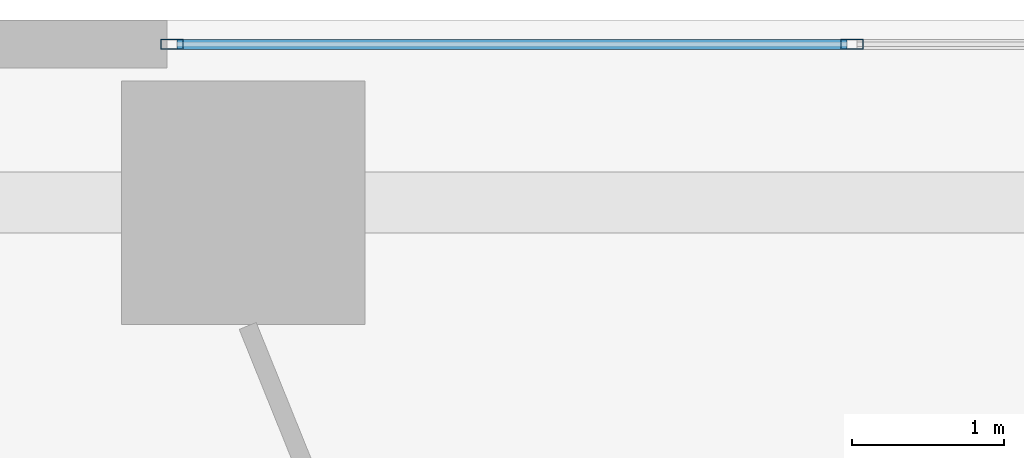
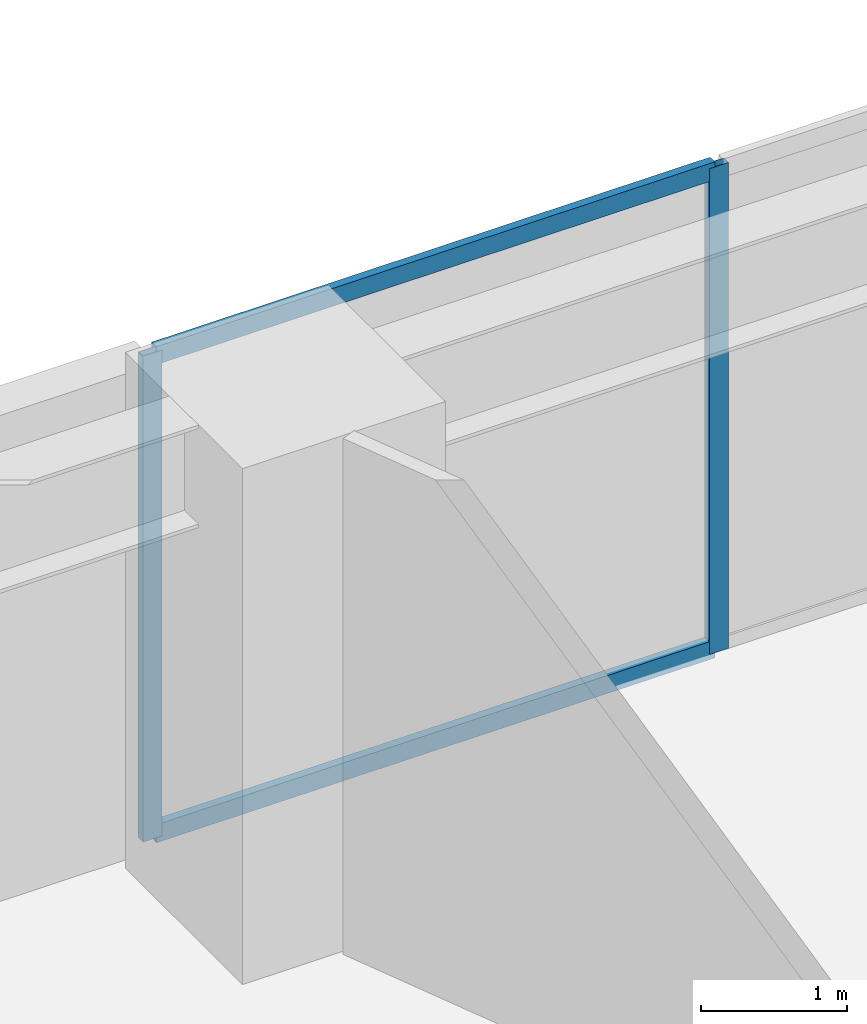
# One storey, part 10 of 24: 4 members, 1 element without a shape of its own.
"""IFC4 building model written with IfcOpenShell, lengths in metres."""

from ifc_helpers import new_model, si_unit, direction, frame, origin, origin_2d, place, context, subcontext, project, spatial, hollow_rectangle, extrude, source, transform, mapped, material, layer, layer_set, material_profile, profile_set, type_object, type_shapes, element, aggregate, save


model = new_model("IFC4")

# Units and contexts
model_context = context("Model", 3, precision=1e-05, world=origin(), true_north=direction((0.0, 1.0)))
body_context = subcontext(model_context, "Body", "Model", "MODEL_VIEW")
ifc_project = project(units=[si_unit("LENGTHUNIT", "METRE"), si_unit("AREAUNIT", "SQUARE_METRE"), si_unit("VOLUMEUNIT", "CUBIC_METRE"), si_unit("PLANEANGLEUNIT", "RADIAN"), si_unit("MASSUNIT", "GRAM", prefix="KILO")], contexts=[model_context])

# Site, building, storey
site_placement = place(None, origin())
site = spatial("IfcSite", under=ifc_project, at=site_placement, CompositionType="ELEMENT")
building_placement = place(site_placement, origin())
building = spatial("IfcBuilding", under=site, at=building_placement, Name="Talar Marvaseh", CompositionType="ELEMENT")
storey_placement = place(building_placement, frame((0.0, 0.0, 9.800048828125)))
storey = spatial("IfcBuildingStorey", under=building, at=storey_placement, Name="L02", CompositionType="ELEMENT", Elevation=9.800048828125)

# Curtain wall, members
ifc_material = material(Name="Architectural Aluminium", Category="aluminium")
ifc_layer = layer(ifc_material, 0.25)
ifc_layer_set = layer_set([ifc_layer], Name="Architectural Aluminium")
curtain_wall_type = type_object("IfcCurtainWallType", Name="Station Podium Monumental Iwan Curtain Wall", PredefinedType="NOTDEFINED", material=ifc_layer_set)
curtain_wall_placement = place(storey_placement, origin())
curtain_wall = element("IfcCurtainWall", 1, at=curtain_wall_placement, inside=storey, type_object=curtain_wall_type, Name="L02 Station Podium Monumental Iwan Curtain Wall", PredefinedType="NOTDEFINED")
ifc_material_profile_1 = material_profile(ifc_material, hollow_rectangle(XDim=0.06494140625, YDim=0.14990234375, WallThickness=0.00390625, at=origin_2d()), Name="RHS150x65x4")
ifc_profile_set_1 = profile_set([ifc_material_profile_1], Name="Architectural Aluminium")
member_type_1 = type_object("IfcMemberType", Name="Unitised Curtain Wall Slim Transom RHS150x65x4", PredefinedType="USERDEFINED", material=ifc_profile_set_1)
shared_shape_1 = source(origin(), body_context, "Body", "SweptSolid", [
    extrude(hollow_rectangle(XDim=0.06494140625, YDim=0.14990234375, WallThickness=0.00390625, at=origin_2d()), origin(), (0.0, 0.0, 1.0), 4.402587890625),
])
type_shapes(member_type_1, [shared_shape_1])
member_1_placement = place(storey_placement, frame((18.06494140625, 47.840087890625, 0.032470703125), z_axis=(1.0, 0.0, 0.0), x_axis=(0.0, 1.0, 0.0)))
member_1 = element("IfcMember", 2, at=member_1_placement, type_object=member_type_1, Name="CW-POD transom 1.1", ObjectType="TRANSOM", PredefinedType="USERDEFINED", context=body_context, shape_type="MappedRepresentation", body=[
    mapped(shared_shape_1, transform((0.0, 0.0, 0.0), x_axis=(1.0, 0.0, 0.0), y_axis=(0.0, 1.0, 0.0), z_axis=(0.0, 0.0, 1.0), scale=1.0)),
])
member_2_placement = place(storey_placement, frame((18.06494140625, 47.840087890625, 4.017333984375), z_axis=(1.0, 0.0, 0.0), x_axis=(0.0, 1.0, 0.0)))
member_2 = element("IfcMember", 3, at=member_2_placement, type_object=member_type_1, Name="CW-POD transom 1.2", ObjectType="TRANSOM", PredefinedType="USERDEFINED", context=body_context, shape_type="MappedRepresentation", body=[
    mapped(shared_shape_1, transform((0.0, 0.0, 0.0), x_axis=(1.0, 0.0, 0.0), y_axis=(0.0, 1.0, 0.0), z_axis=(0.0, 0.0, 1.0), scale=1.0)),
])
ifc_material_profile_2 = material_profile(ifc_material, hollow_rectangle(XDim=0.06494140625, YDim=0.14990234375, WallThickness=0.00390625, at=origin_2d()), Name="RHS150x65x4")
ifc_profile_set_2 = profile_set([ifc_material_profile_2], Name="Architectural Aluminium")
member_type_2 = type_object("IfcMemberType", Name="Unitised Curtain Wall Slim Mullion RHS150x65x4", PredefinedType="MULLION", material=ifc_profile_set_2)
shared_shape_2 = source(origin(), body_context, "Body", "SweptSolid", [
    extrude(hollow_rectangle(XDim=0.06494140625, YDim=0.14990234375, WallThickness=0.00390625, at=origin_2d()), origin(), (0.0, 0.0, 1.0), 4.050048828125),
])
type_shapes(member_type_2, [shared_shape_2])
member_3_placement = place(storey_placement, frame((18.032470703125, 47.840087890625, 0.0), z_axis=(0.0, 0.0, 1.0), x_axis=(0.0, 1.0, 0.0)))
member_3 = element("IfcMember", 4, at=member_3_placement, type_object=member_type_2, Name="CW-POD mullion 1", PredefinedType="MULLION", context=body_context, shape_type="MappedRepresentation", body=[
    mapped(shared_shape_2, transform((0.0, 0.0, 0.0), x_axis=(1.0, 0.0, 0.0), y_axis=(0.0, 1.0, 0.0), z_axis=(0.0, 0.0, 1.0), scale=1.0)),
])
member_4_placement = place(storey_placement, frame((22.5, 47.840087890625, 0.0), z_axis=(0.0, 0.0, 1.0), x_axis=(0.0, 1.0, 0.0)))
member_4 = element("IfcMember", 5, at=member_4_placement, type_object=member_type_2, Name="CW-POD mullion 2", PredefinedType="MULLION", context=body_context, shape_type="MappedRepresentation", body=[
    mapped(shared_shape_2, transform((0.0, 0.0, 0.0), x_axis=(1.0, 0.0, 0.0), y_axis=(0.0, 1.0, 0.0), z_axis=(0.0, 0.0, 1.0), scale=1.0)),
])
aggregate(curtain_wall, [member_3, member_4, member_1, member_2])

save(model, "model.ifc")
